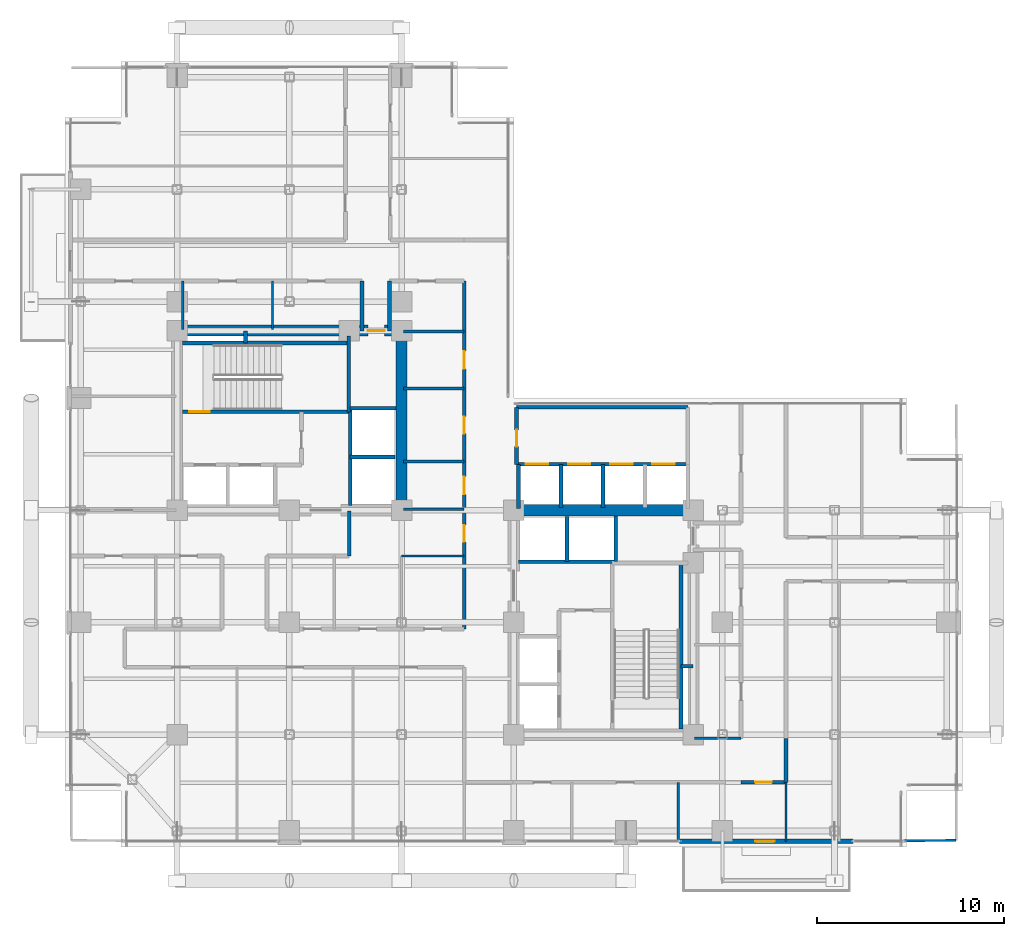
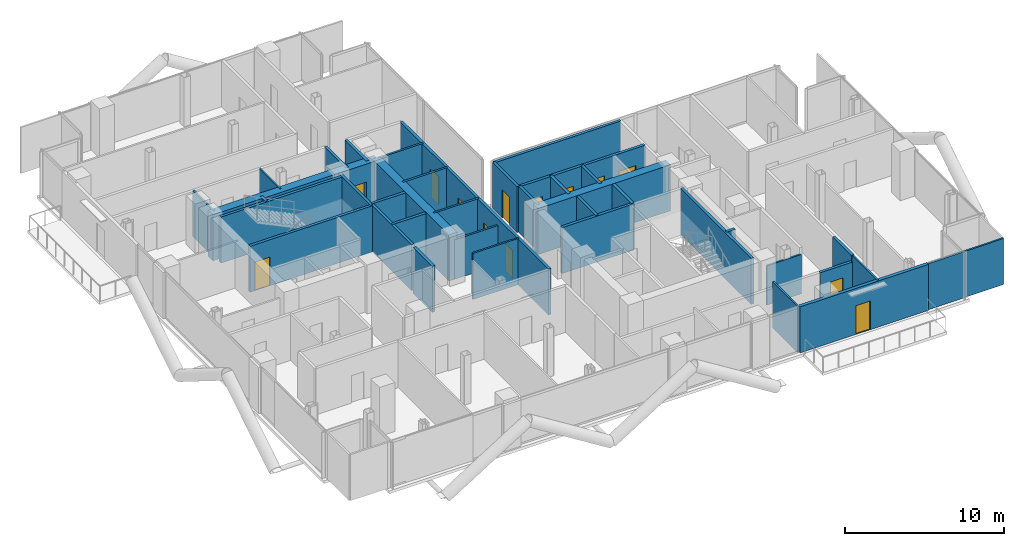
# One storey, part 23 of 28: 39 walls, 13 doors, 13 openings.
"""IFC4 building model written with IfcOpenShell, lengths in metres."""

from ifc_helpers import new_model, si_unit, direction, frame, frame_2d, origin, place, context, subcontext, project, spatial, rectangle, extrude, material, layer, layer_set, type_object, element, fill, save


model = new_model("IFC4")

# Units and contexts
model_context = context("Model", 3, precision=1e-05, world=origin(), true_north=direction((0.0, 1.0)))
body_context = subcontext(model_context, "Body", "Model", "MODEL_VIEW")
ifc_project = project(units=[si_unit("LENGTHUNIT", "METRE"), si_unit("AREAUNIT", "SQUARE_METRE"), si_unit("VOLUMEUNIT", "CUBIC_METRE"), si_unit("PLANEANGLEUNIT", "RADIAN"), si_unit("MASSUNIT", "GRAM", prefix="KILO"), si_unit("THERMODYNAMICTEMPERATUREUNIT", "KELVIN"), si_unit("POWERUNIT", "WATT")], contexts=[model_context])

# Site, building, storey
site_placement = place(None, origin())
site = spatial("IfcSite", under=ifc_project, at=site_placement, CompositionType="ELEMENT")
building_placement = place(site_placement, origin())
building = spatial("IfcBuilding", under=site, at=building_placement, Name="Svarakhadi Broadcast Tower", CompositionType="ELEMENT")
storey_placement = place(building_placement, frame((0.0, 0.0, 149.39990234375)))
storey = spatial("IfcBuildingStorey", under=building, at=storey_placement, Name="L36", CompositionType="ELEMENT", Elevation=149.39990234375)

# Wall, opening, door
ifc_material_1 = material(Name="Concrete C40/50 (IS 456 M50)", Category="concrete")
ifc_layer_1 = layer(ifc_material_1, 0.239990234375)
ifc_layer_set_1 = layer_set([ifc_layer_1], Name="Concrete C40/50 (IS 456 M50)")
wall_type_1 = type_object("IfcWallType", Name="Wall_Ext_240", PredefinedType="SOLIDWALL", material=ifc_layer_set_1)
wall_1_placement = place(storey_placement, frame((42.14501953125, 0.300048828125, 0.0), z_axis=(0.0, 0.0, 1.0), x_axis=(-1.0, 0.0, 0.0)))
wall_1 = element("IfcWall", 1, at=wall_1_placement, inside=storey, type_object=wall_type_1, Name="L36 South Tree Balcony Spandrel Wall", PredefinedType="SOLIDWALL", context=body_context, shape_type="SweptSolid", body=[
    extrude(rectangle(XDim=9.2900390625, YDim=0.239990234375, at=frame_2d((4.64501953125, 0.0))), origin(), (0.0, 0.0, 1.0), 3.525146484375),
])
opening_1_placement = place(wall_1_placement, frame((4.199951171875, 0.0, 0.0)))
opening_1 = element("IfcOpeningElement", 2, at=opening_1_placement, cuts=wall_1, Name="Opening ED-06", PredefinedType="OPENING", context=body_context, shape_type="SweptSolid", body=[
    extrude(rectangle(XDim=1.050048828125, YDim=2.199951171875, at=frame_2d((0.52490234375, 1.10009765625))), frame((0.0, 0.1298828125, 0.0), z_axis=(0.0, -1.0, 0.0), x_axis=(1.0, 0.0, 0.0)), (0.0, 0.0, 1.0), 0.260009765625),
])
ifc_material_2 = material(Name="Anodised Bronze Aluminium AA 6063-T6", Category="aluminium")
door_type_1 = type_object("IfcDoorType", Name="Door_Ext_ED06", OperationType="SINGLE_SWING_RIGHT", PredefinedType="DOOR", material=ifc_material_2)
door_1_placement = place(opening_1_placement, origin())
door_1 = element("IfcDoor", 3, at=door_1_placement, inside=storey, type_object=door_type_1, Name="L36 South Tree Balcony Door", OperationType="SINGLE_SWING_RIGHT", OverallHeight=2.199951171875, OverallWidth=1.050048828125, PredefinedType="DOOR", context=body_context, shape_type="SweptSolid", body=[
    extrude(rectangle(XDim=1.050048828125, YDim=2.199951171875, at=frame_2d((0.52490234375, 1.10009765625))), frame((0.0, 0.02490234375, 0.0), z_axis=(0.0, -1.0, 0.0), x_axis=(1.0, 0.0, 0.0)), (0.0, 0.0, 1.0), 0.050048828125),
])
fill(opening_1, door_1)

# Walls
ifc_layer_2 = layer(ifc_material_1, 0.199951171875)
ifc_layer_set_2 = layer_set([ifc_layer_2], Name="Concrete C40/50 (IS 456 M50)")
wall_type_2 = type_object("IfcWallType", Name="Wall_Fire_200", PredefinedType="SOLIDWALL", material=ifc_layer_set_2)
for number, where, z_axis, x_axis, name in (
    (4, (9.659912109375, 26.93994140625, 0.0), (0.0, 0.0, 1.0), (0.0, 1.0, 0.0), "L36 Wet Riser Shaft East Wall"),
    (5, (32.93994140625, 9.659912109375, 0.0), (0.0, 0.0, 1.0), (1.0, 0.0, 0.0), "L36 HV Busduct Riser Shaft North Wall"),
):
    element("IfcWall", number, at=place(storey_placement, frame(where, z_axis=z_axis, x_axis=x_axis)), inside=storey, type_object=wall_type_2, Name=name, PredefinedType="SOLIDWALL", context=body_context, shape_type="SweptSolid", body=[
        extrude(rectangle(XDim=0.64013671875, YDim=0.199951171875, at=frame_2d((0.320068359375, 0.0))), origin(), (0.0, 0.0, 1.0), 3.525146484375),
    ])
wall_2_placement = place(storey_placement, frame((38.550048828125, 5.800048828125, 0.0), z_axis=(0.0, 0.0, 1.0), x_axis=(0.0, -1.0, 0.0)))
element("IfcWall", 6, at=wall_2_placement, inside=storey, type_object=wall_type_2, Name="L36 Zone 2/3 Corridor Wall", PredefinedType="SOLIDWALL", context=body_context, shape_type="SweptSolid", body=[
    extrude(rectangle(XDim=2.35009765625, YDim=0.199951171875, at=frame_2d((1.175048828125, 0.0))), origin(), (0.0, 0.0, 1.0), 3.525146484375),
])

# Wall, opening, door
wall_3_placement = place(storey_placement, frame((38.550048828125, 3.449951171875, 0.0), z_axis=(0.0, 0.0, 1.0), x_axis=(-1.0, 0.0, 0.0)))
wall_3 = element("IfcWall", 7, at=wall_3_placement, inside=storey, type_object=wall_type_2, Name="L36 Zone 2/3 Corridor Wall", PredefinedType="SOLIDWALL", context=body_context, shape_type="SweptSolid", body=[
    extrude(rectangle(XDim=2.400146484375, YDim=0.199951171875, at=frame_2d((1.2001953125, 0.0))), origin(), (0.0, 0.0, 1.0), 3.067138671875),
])
opening_2_placement = place(wall_3_placement, frame((0.75, 0.0, 0.0)))
opening_2 = element("IfcOpeningElement", 8, at=opening_2_placement, cuts=wall_3, Name="Opening D-14", PredefinedType="OPENING", context=body_context, shape_type="SweptSolid", body=[
    extrude(rectangle(XDim=0.89990234375, YDim=2.10009765625, at=frame_2d((0.449951171875, 1.050048828125))), frame((0.0, 0.10986328125, 0.0), z_axis=(0.0, -1.0, 0.0), x_axis=(1.0, 0.0, 0.0)), (0.0, 0.0, 1.0), 0.219970703125),
])
ifc_material_3 = material(Name="Solid-Core Teak Veneer Acoustic Timber Leaf", Category="wood")
door_type_2 = type_object("IfcDoorType", Name="Door_Int_D14", OperationType="SINGLE_SWING_LEFT", PredefinedType="DOOR", material=ifc_material_3)
door_2_placement = place(opening_2_placement, origin())
door_2 = element("IfcDoor", 9, at=door_2_placement, inside=storey, type_object=door_type_2, Name="L36 Artisanal Espresso Bar Door", OperationType="SINGLE_SWING_LEFT", OverallHeight=2.10009765625, OverallWidth=0.89990234375, PredefinedType="DOOR", context=body_context, shape_type="SweptSolid", body=[
    extrude(rectangle(XDim=0.89990234375, YDim=2.10009765625, at=frame_2d((0.449951171875, 1.050048828125))), frame((0.0, 0.02490234375, 0.0), z_axis=(0.0, -1.0, 0.0), x_axis=(1.0, 0.0, 0.0)), (0.0, 0.0, 1.0), 0.050048828125),
])
fill(opening_2, door_2)

# Wall
wall_4_placement = place(storey_placement, frame((15.199951171875, 17.949951171875, 0.0), z_axis=(0.0, 0.0, 1.0), x_axis=(0.0, -1.0, 0.0)))
element("IfcWall", 10, at=wall_4_placement, inside=storey, type_object=wall_type_2, Name="L36 Zone 2/3 Corridor Wall", PredefinedType="SOLIDWALL", context=body_context, shape_type="SweptSolid", body=[
    extrude(rectangle(XDim=2.39990234375, YDim=0.199951171875, at=frame_2d((1.199951171875, 0.0))), origin(), (0.0, 0.0, 1.0), 3.525146484375),
])

# Wall, openings, doors
wall_5_placement = place(storey_placement, frame((21.35009765625, 11.64990234375, 0.0), z_axis=(0.0, 0.0, 1.0), x_axis=(0.0, 1.0, 0.0)))
wall_5 = element("IfcWall", 11, at=wall_5_placement, inside=storey, type_object=wall_type_2, Name="L36 Zone 2/3 Corridor Wall", PredefinedType="SOLIDWALL", context=body_context, shape_type="SweptSolid", body=[
    extrude(rectangle(XDim=18.60009765625, YDim=0.199951171875, at=frame_2d((9.300048828125, 0.0))), origin(), (0.0, 0.0, 1.0), 3.525146484375),
])
opening_3_placement = place(wall_5_placement, frame((7.199951171875, 0.0, 0.0)))
opening_3 = element("IfcOpeningElement", 12, at=opening_3_placement, cuts=wall_5, Name="Opening D-07", PredefinedType="OPENING", context=body_context, shape_type="SweptSolid", body=[
    extrude(rectangle(XDim=0.949951171875, YDim=2.14990234375, at=frame_2d((0.47509765625, 1.074951171875))), frame((0.0, 0.10986328125, 0.0), z_axis=(0.0, -1.0, 0.0), x_axis=(1.0, 0.0, 0.0)), (0.0, 0.0, 1.0), 0.219970703125),
])
opening_4_placement = place(wall_5_placement, frame((10.449951171875, 0.0, 0.0)))
opening_4 = element("IfcOpeningElement", 13, at=opening_4_placement, cuts=wall_5, Name="Opening D-12", PredefinedType="OPENING", context=body_context, shape_type="SweptSolid", body=[
    extrude(rectangle(XDim=0.89990234375, YDim=2.10009765625, at=frame_2d((0.449951171875, 1.050048828125))), frame((0.0, 0.10986328125, 0.0), z_axis=(0.0, -1.0, 0.0), x_axis=(1.0, 0.0, 0.0)), (0.0, 0.0, 1.0), 0.219970703125),
])
opening_5_placement = place(wall_5_placement, frame((13.89990234375, 0.0, 0.0)))
opening_5 = element("IfcOpeningElement", 14, at=opening_5_placement, cuts=wall_5, Name="Opening D-07", PredefinedType="OPENING", context=body_context, shape_type="SweptSolid", body=[
    extrude(rectangle(XDim=0.949951171875, YDim=2.14990234375, at=frame_2d((0.47509765625, 1.074951171875))), frame((0.0, 0.10986328125, 0.0), z_axis=(0.0, -1.0, 0.0), x_axis=(1.0, 0.0, 0.0)), (0.0, 0.0, 1.0), 0.219970703125),
])
opening_6_placement = place(wall_5_placement, frame((4.64990234375, 0.0, 0.0)))
opening_6 = element("IfcOpeningElement", 15, at=opening_6_placement, cuts=wall_5, Name="Opening D-14", PredefinedType="OPENING", context=body_context, shape_type="SweptSolid", body=[
    extrude(rectangle(XDim=0.89990234375, YDim=2.10009765625, at=frame_2d((0.449951171875, 1.050048828125))), frame((0.0, 0.10986328125, 0.0), z_axis=(0.0, -1.0, 0.0), x_axis=(1.0, 0.0, 0.0)), (0.0, 0.0, 1.0), 0.219970703125),
])
door_3_placement = place(opening_6_placement, origin())
door_3 = element("IfcDoor", 16, at=door_3_placement, inside=storey, type_object=door_type_2, Name="L36 Executive Review Pod Door", OperationType="SINGLE_SWING_LEFT", OverallHeight=2.10009765625, OverallWidth=0.89990234375, PredefinedType="DOOR", context=body_context, shape_type="SweptSolid", body=[
    extrude(rectangle(XDim=0.89990234375, YDim=2.10009765625, at=frame_2d((0.449951171875, 1.050048828125))), frame((0.0, 0.02490234375, 0.0), z_axis=(0.0, -1.0, 0.0), x_axis=(1.0, 0.0, 0.0)), (0.0, 0.0, 1.0), 0.050048828125),
])
fill(opening_6, door_3)
door_type_3 = type_object("IfcDoorType", Name="Door_Office_D07", OperationType="SINGLE_SWING_RIGHT", PredefinedType="DOOR", material=ifc_material_3)
door_4_placement = place(opening_3_placement, origin())
door_4 = element("IfcDoor", 17, at=door_4_placement, inside=storey, type_object=door_type_3, Name="L36 Broadcast Editorial Review Office Door", OperationType="SINGLE_SWING_RIGHT", OverallHeight=2.14990234375, OverallWidth=0.949951171875, PredefinedType="DOOR", context=body_context, shape_type="SweptSolid", body=[
    extrude(rectangle(XDim=0.949951171875, YDim=2.14990234375, at=frame_2d((0.47509765625, 1.074951171875))), frame((0.0, 0.02490234375, 0.0), z_axis=(0.0, -1.0, 0.0), x_axis=(1.0, 0.0, 0.0)), (0.0, 0.0, 1.0), 0.050048828125),
])
fill(opening_3, door_4)
door_5_placement = place(opening_5_placement, origin())
door_5 = element("IfcDoor", 18, at=door_5_placement, inside=storey, type_object=door_type_3, Name="L36 Quiet Focus Booth Door", OperationType="SINGLE_SWING_RIGHT", OverallHeight=2.14990234375, OverallWidth=0.949951171875, PredefinedType="DOOR", context=body_context, shape_type="SweptSolid", body=[
    extrude(rectangle(XDim=0.949951171875, YDim=2.14990234375, at=frame_2d((0.47509765625, 1.074951171875))), frame((0.0, 0.02490234375, 0.0), z_axis=(0.0, -1.0, 0.0), x_axis=(1.0, 0.0, 0.0)), (0.0, 0.0, 1.0), 0.050048828125),
])
fill(opening_5, door_5)
door_type_4 = type_object("IfcDoorType", Name="Door_WC_D01", OperationType="SINGLE_SWING_LEFT", PredefinedType="DOOR", material=ifc_material_3)
door_6_placement = place(opening_4_placement, origin())
door_6 = element("IfcDoor", 19, at=door_6_placement, inside=storey, type_object=door_type_4, Name="L36 Accessible Guest Washroom WC Door", OperationType="SINGLE_SWING_LEFT", OverallHeight=2.10009765625, OverallWidth=0.89990234375, PredefinedType="DOOR", context=body_context, shape_type="SweptSolid", body=[
    extrude(rectangle(XDim=0.89990234375, YDim=2.10009765625, at=frame_2d((0.449951171875, 1.050048828125))), frame((0.0, 0.02490234375, 0.0), z_axis=(0.0, -1.0, 0.0), x_axis=(1.0, 0.0, 0.0)), (0.0, 0.0, 1.0), 0.050048828125),
])
fill(opening_4, door_6)

# Walls
for number, where, z_axis, x_axis, name in (
    (20, (17.35009765625, 30.25, 0.0), (0.0, 0.0, 1.0), (0.0, -1.0, 0.0), "L36 Zone 2/3 Corridor Wall"),
    (21, (15.8798828125, 27.580078125, 0.0), (0.0, 0.0, 1.0), (0.0, 1.0, 0.0), "L36 Zone 2/3 Corridor Wall"),
):
    element("IfcWall", number, at=place(storey_placement, frame(where, z_axis=z_axis, x_axis=x_axis)), inside=storey, type_object=wall_type_2, Name=name, PredefinedType="SOLIDWALL", context=body_context, shape_type="SweptSolid", body=[
        extrude(rectangle(XDim=2.669921875, YDim=0.199951171875, at=frame_2d((1.3349609375, 0.0))), origin(), (0.0, 0.0, 1.0), 3.525146484375),
    ])
ifc_material_4 = material(Name="Fire-Rated Moisture-Resistant Gypsum Board Partition", Category="gypsum")
ifc_layer_3 = layer(ifc_material_4, 0.125)
ifc_layer_set_3 = layer_set([ifc_layer_3], Name="Fire-Rated Moisture-Resistant Gypsum Board Partition")
wall_type_3 = type_object("IfcWallType", Name="Wall_Part_125", PredefinedType="PARTITIONING", material=ifc_layer_set_3)
wall_6_placement = place(storey_placement, frame((18.0, 15.550048828125, 0.0), z_axis=(0.0, 0.0, 1.0), x_axis=(1.0, 0.0, 0.0)))
element("IfcWall", 22, at=wall_6_placement, inside=storey, type_object=wall_type_3, Name="L36 Accessible Floor Washroom WC Wall", PredefinedType="PARTITIONING", context=body_context, shape_type="SweptSolid", body=[
    extrude(rectangle(XDim=3.35009765625, YDim=0.125, at=frame_2d((1.675048828125, 0.0))), origin(), (0.0, 0.0, 1.0), 3.525146484375),
])
for number, where, z_axis, x_axis, name in (
    (23, (32.800048828125, 0.300048828125, 0.0), (0.0, 0.0, 1.0), (0.0, 1.0, 0.0), "L36 Client Preview Briefing Room Wall"),
    (24, (38.550048828125, 0.300048828125, 0.0), (0.0, 0.0, 1.0), (0.0, 1.0, 0.0), "L36 Artisanal Espresso Bar Wall"),
):
    element("IfcWall", number, at=place(storey_placement, frame(where, z_axis=z_axis, x_axis=x_axis)), inside=storey, type_object=wall_type_3, Name=name, PredefinedType="PARTITIONING", context=body_context, shape_type="SweptSolid", body=[
        extrude(rectangle(XDim=3.14990234375, YDim=0.125, at=frame_2d((1.574951171875, 0.0))), origin(), (0.0, 0.0, 1.0), 3.525146484375),
    ])
for number, where, z_axis, x_axis, name in (
    (25, (6.300048828125, 27.64990234375, 0.0), (0.0, 0.0, 1.0), (0.0, 1.0, 0.0), "L36 Acoustic Dubbing Booth Wall"),
    (26, (11.10009765625, 27.64990234375, 0.0), (0.0, 0.0, 1.0), (0.0, 1.0, 0.0), "L36 Acoustic Dubbing Booth Wall"),
):
    element("IfcWall", number, at=place(storey_placement, frame(where, z_axis=z_axis, x_axis=x_axis)), inside=storey, type_object=wall_type_3, Name=name, PredefinedType="PARTITIONING", context=body_context, shape_type="SweptSolid", body=[
        extrude(rectangle(XDim=2.60009765625, YDim=0.125, at=frame_2d((1.300048828125, 0.0))), origin(), (0.0, 0.0, 1.0), 3.525146484375),
    ])
wall_7_placement = place(storey_placement, frame((33.64990234375, 5.800048828125, 0.0), z_axis=(0.0, 0.0, 1.0), x_axis=(1.0, 0.0, 0.0)))
element("IfcWall", 27, at=wall_7_placement, inside=storey, type_object=wall_type_3, Name="L36 Media Playout Monitoring Office Wall", PredefinedType="PARTITIONING", context=body_context, shape_type="SweptSolid", body=[
    extrude(rectangle(XDim=2.5, YDim=0.125, at=frame_2d((1.25, 0.0))), origin(), (0.0, 0.0, 1.0), 3.01708984375),
])
wall_8_placement = place(storey_placement, frame((42.14501953125, 0.305908203125, 0.0), z_axis=(0.0, 0.0, 1.0), x_axis=(0.999967782628, 0.008027060877, 0.0)))
element("IfcWall", 28, at=wall_8_placement, inside=storey, type_object=wall_type_3, Name="L36 Conductor Study Wall", PredefinedType="PARTITIONING", context=body_context, shape_type="SweptSolid", body=[
    extrude(rectangle(XDim=5.505126953125, YDim=0.125, at=frame_2d((2.75244140625, 0.0))), origin(), (0.0, 0.0, 1.0), 3.525146484375),
])
ifc_material_5 = material(Name="Autoclaved Aerated Concrete Blockwork 150 mm", Category="masonry")
ifc_layer_4 = layer(ifc_material_5, 0.14990234375)
ifc_layer_set_4 = layer_set([ifc_layer_4], Name="Autoclaved Aerated Concrete Blockwork 150 mm")
wall_type_4 = type_object("IfcWallType", Name="Wall_Part_150", PredefinedType="PARTITIONING", material=ifc_layer_set_4)
wall_9_placement = place(storey_placement, frame((18.10009765625, 18.050048828125, 0.0), z_axis=(0.0, 0.0, 1.0), x_axis=(1.0, 0.0, 0.0)))
element("IfcWall", 29, at=wall_9_placement, inside=storey, type_object=wall_type_4, Name="L36 Broadcast Editorial Review Office Wall", PredefinedType="PARTITIONING", context=body_context, shape_type="SweptSolid", body=[
    extrude(rectangle(XDim=3.25, YDim=0.14990234375, at=frame_2d((1.625, 0.0))), origin(), (0.0, 0.0, 1.0), 3.01708984375),
])
for number, where, z_axis, x_axis, name in (
    (30, (18.10009765625, 20.60009765625, 0.0), (0.0, 0.0, 1.0), (1.0, 0.0, 0.0), "L36 Broadcast Editorial Review Office Wall"),
    (31, (18.10009765625, 24.5, 0.0), (0.0, 0.0, 1.0), (1.0, 0.0, 0.0), "L36 Accessible Guest Washroom WC Wall"),
    (32, (18.10009765625, 27.550048828125, 0.0), (0.0, 0.0, 1.0), (1.0, 0.0, 0.0), "L36 Quiet Focus Booth Wall"),
):
    element("IfcWall", number, at=place(storey_placement, frame(where, z_axis=z_axis, x_axis=x_axis)), inside=storey, type_object=wall_type_4, Name=name, PredefinedType="PARTITIONING", context=body_context, shape_type="SweptSolid", body=[
        extrude(rectangle(XDim=3.25, YDim=0.14990234375, at=frame_2d((1.625, 0.0))), origin(), (0.0, 0.0, 1.0), 3.525146484375),
    ])

# Wall, opening, door
ifc_material_6 = material(Name="Concrete C50/60 (IS 456 M60)", Category="concrete")
ifc_layer_5 = layer(ifc_material_6, 0.199951171875)
ifc_layer_set_5 = layer_set([ifc_layer_5], Name="Concrete C50/60 (IS 456 M60)")
wall_type_5 = type_object("IfcWallType", Name="Wall_Shear_200", PredefinedType="SHEAR", material=ifc_layer_set_5)
wall_10_placement = place(storey_placement, frame((6.300048828125, 23.260009765625, 0.0), z_axis=(0.0, 0.0, 1.0), x_axis=(1.0, 0.0, 0.0)))
wall_10 = element("IfcWall", 33, at=wall_10_placement, inside=storey, type_object=wall_type_5, Name="L36 Stair ST-01 South RC Shaft Wall", PredefinedType="SHEAR", context=body_context, shape_type="SweptSolid", body=[
    extrude(rectangle(XDim=8.8798828125, YDim=0.199951171875, at=frame_2d((4.43994140625, 0.0))), origin(), (0.0, 0.0, 1.0), 3.525146484375),
])
opening_7_placement = place(wall_10_placement, frame((0.35009765625, 0.0, 0.0)))
opening_7 = element("IfcOpeningElement", 34, at=opening_7_placement, cuts=wall_10, Name="Opening D-01", PredefinedType="OPENING", context=body_context, shape_type="SweptSolid", body=[
    extrude(rectangle(XDim=1.10009765625, YDim=2.199951171875, at=frame_2d((0.550048828125, 1.10009765625))), frame((0.0, 0.10986328125, 0.0), z_axis=(0.0, -1.0, 0.0), x_axis=(1.0, 0.0, 0.0)), (0.0, 0.0, 1.0), 0.219970703125),
])
ifc_material_7 = material(Name="Galvanised Powder-Coated Fire-Rated Steel Leaf", Category="steel")
door_type_5 = type_object("IfcDoorType", Name="Door_Stair_D01", OperationType="SINGLE_SWING_LEFT", PredefinedType="DOOR", material=ifc_material_7)
door_7_placement = place(opening_7_placement, origin())
door_7 = element("IfcDoor", 35, at=door_7_placement, inside=storey, type_object=door_type_5, Name="L36 Protected Exit Stair ST-01 Fire Door", OperationType="SINGLE_SWING_LEFT", OverallHeight=2.199951171875, OverallWidth=1.10009765625, PredefinedType="DOOR", context=body_context, shape_type="SweptSolid", body=[
    extrude(rectangle(XDim=1.10009765625, YDim=2.199951171875, at=frame_2d((0.550048828125, 1.10009765625))), frame((0.0, 0.02490234375, 0.0), z_axis=(0.0, -1.0, 0.0), x_axis=(1.0, 0.0, 0.0)), (0.0, 0.0, 1.0), 0.050048828125),
])
fill(opening_7, door_7)

# Walls
wall_11_placement = place(storey_placement, frame((6.300048828125, 26.93994140625, 0.0), z_axis=(0.0, 0.0, 1.0), x_axis=(1.0, 0.0, 0.0)))
element("IfcWall", 36, at=wall_11_placement, inside=storey, type_object=wall_type_5, Name="L36 Stair ST-01 North RC Shaft Wall", PredefinedType="SHEAR", context=body_context, shape_type="SweptSolid", body=[
    extrude(rectangle(XDim=8.8798828125, YDim=0.199951171875, at=frame_2d((4.43994140625, 0.0))), origin(), (0.0, 0.0, 1.0), 3.525146484375),
])
wall_12_placement = place(storey_placement, frame((15.179931640625, 23.260009765625, 0.0), z_axis=(0.0, 0.0, 1.0), x_axis=(0.0, 1.0, 0.0)))
element("IfcWall", 37, at=wall_12_placement, inside=storey, type_object=wall_type_5, Name="L36 Stair ST-01 East RC Shaft Wall", PredefinedType="SHEAR", context=body_context, shape_type="SweptSolid", body=[
    extrude(rectangle(XDim=4.0400390625, YDim=0.199951171875, at=frame_2d((2.02001953125, 0.0))), origin(), (0.0, 0.0, 1.0), 3.525146484375),
])
wall_13_placement = place(storey_placement, frame((32.93994140625, 6.300048828125, 0.0), z_axis=(0.0, 0.0, 1.0), x_axis=(0.0, 1.0, 0.0)))
element("IfcWall", 38, at=wall_13_placement, inside=storey, type_object=wall_type_5, Name="L36 Stair ST-02 East RC Shaft Wall", PredefinedType="SHEAR", context=body_context, shape_type="SweptSolid", body=[
    extrude(rectangle(XDim=8.8798828125, YDim=0.199951171875, at=frame_2d((4.43994140625, 0.0))), origin(), (0.0, 0.0, 1.0), 3.525146484375),
])
wall_14_placement = place(storey_placement, frame((15.25, 18.25, 0.0), z_axis=(0.0, 0.0, 1.0), x_axis=(0.0, 1.0, 0.0)))
element("IfcWall", 39, at=wall_14_placement, inside=storey, type_object=wall_type_5, Name="L36 High-Rise Lift LF-13/14 West Shaft Wall", PredefinedType="SHEAR", context=body_context, shape_type="SweptSolid", body=[
    extrude(rectangle(XDim=5.199951171875, YDim=0.199951171875, at=frame_2d((2.60009765625, 0.0))), origin(), (0.0, 0.0, 1.0), 3.525146484375),
])
wall_15_placement = place(storey_placement, frame((15.25, 20.85009765625, 0.0), z_axis=(0.0, 0.0, 1.0), x_axis=(1.0, 0.0, 0.0)))
element("IfcWall", 40, at=wall_15_placement, inside=storey, type_object=wall_type_5, Name="L36 High-Rise Lift LF-13/14 Divider", PredefinedType="SHEAR", context=body_context, shape_type="SweptSolid", body=[
    extrude(rectangle(XDim=2.39990234375, YDim=0.199951171875, at=frame_2d((1.199951171875, 0.0))), origin(), (0.0, 0.0, 1.0), 3.525146484375),
])
wall_16_placement = place(storey_placement, frame((15.25, 23.449951171875, 0.0), z_axis=(0.0, 0.0, 1.0), x_axis=(1.0, 0.0, 0.0)))
element("IfcWall", 41, at=wall_16_placement, inside=storey, type_object=wall_type_5, Name="L36 High-Rise Lift LF-13/14 North Wall", PredefinedType="SHEAR", context=body_context, shape_type="SweptSolid", body=[
    extrude(rectangle(XDim=2.449951171875, YDim=0.199951171875, at=frame_2d((1.22509765625, 0.0))), origin(), (0.0, 0.0, 1.0), 3.525146484375),
])
wall_17_placement = place(storey_placement, frame((24.25, 15.25, 0.0), z_axis=(0.0, 0.0, 1.0), x_axis=(1.0, 0.0, 0.0)))
element("IfcWall", 42, at=wall_17_placement, inside=storey, type_object=wall_type_5, Name="L36 High-Rise Lift LF-15/16 South Shaft Wall", PredefinedType="SHEAR", context=body_context, shape_type="SweptSolid", body=[
    extrude(rectangle(XDim=5.199951171875, YDim=0.199951171875, at=frame_2d((2.60009765625, 0.0))), origin(), (0.0, 0.0, 1.0), 3.525146484375),
])
wall_18_placement = place(storey_placement, frame((26.85009765625, 15.25, 0.0), z_axis=(0.0, 0.0, 1.0), x_axis=(0.0, 1.0, 0.0)))
element("IfcWall", 43, at=wall_18_placement, inside=storey, type_object=wall_type_5, Name="L36 High-Rise Lift LF-15/16 Divider", PredefinedType="SHEAR", context=body_context, shape_type="SweptSolid", body=[
    extrude(rectangle(XDim=2.39990234375, YDim=0.199951171875, at=frame_2d((1.199951171875, 0.0))), origin(), (0.0, 0.0, 1.0), 3.525146484375),
])
wall_19_placement = place(storey_placement, frame((29.449951171875, 15.25, 0.0), z_axis=(0.0, 0.0, 1.0), x_axis=(0.0, 1.0, 0.0)))
element("IfcWall", 44, at=wall_19_placement, inside=storey, type_object=wall_type_5, Name="L36 High-Rise Lift LF-15/16 East Wall", PredefinedType="SHEAR", context=body_context, shape_type="SweptSolid", body=[
    extrude(rectangle(XDim=2.449951171875, YDim=0.199951171875, at=frame_2d((1.22509765625, 0.0))), origin(), (0.0, 0.0, 1.0), 3.525146484375),
])
wall_20_placement = place(storey_placement, frame((24.25, 18.10009765625, 0.0), z_axis=(0.0, 0.0, 1.0), x_axis=(0.0, 1.0, 0.0)))
element("IfcWall", 45, at=wall_20_placement, inside=storey, type_object=wall_type_5, Name="L36 Bank B West Shaft Wall", PredefinedType="SHEAR", context=body_context, shape_type="SweptSolid", body=[
    extrude(rectangle(XDim=2.349853515625, YDim=0.199951171875, at=frame_2d((1.1748046875, 0.0))), origin(), (0.0, 0.0, 1.0), 3.525146484375),
])

# Wall, openings, doors
wall_21_placement = place(storey_placement, frame((24.25, 20.449951171875, 0.0), z_axis=(0.0, 0.0, 1.0), x_axis=(1.0, 0.0, 0.0)))
wall_21 = element("IfcWall", 46, at=wall_21_placement, inside=storey, type_object=wall_type_5, Name="L36 Bank B North Landing Wall", PredefinedType="SHEAR", context=body_context, shape_type="SweptSolid", body=[
    extrude(rectangle(XDim=9.050048828125, YDim=0.199951171875, at=frame_2d((4.52490234375, 0.0))), origin(), (0.0, 0.0, 1.0), 3.525146484375),
])
opening_8_placement = place(wall_21_placement, frame((0.39990234375, 0.0, 0.0)))
opening_8 = element("IfcOpeningElement", 47, at=opening_8_placement, cuts=wall_21, Name="Opening LD-02", PredefinedType="OPENING", context=body_context, shape_type="SweptSolid", body=[
    extrude(rectangle(XDim=1.199951171875, YDim=2.199951171875, at=frame_2d((0.60009765625, 1.10009765625))), frame((0.0, 0.10986328125, 0.0), z_axis=(0.0, -1.0, 0.0), x_axis=(1.0, 0.0, 0.0)), (0.0, 0.0, 1.0), 0.219970703125),
])
opening_9_placement = place(wall_21_placement, frame((2.64990234375, 0.0, 0.0)))
opening_9 = element("IfcOpeningElement", 48, at=opening_9_placement, cuts=wall_21, Name="Opening LD-02", PredefinedType="OPENING", context=body_context, shape_type="SweptSolid", body=[
    extrude(rectangle(XDim=1.199951171875, YDim=2.199951171875, at=frame_2d((0.60009765625, 1.10009765625))), frame((0.0, 0.10986328125, 0.0), z_axis=(0.0, -1.0, 0.0), x_axis=(1.0, 0.0, 0.0)), (0.0, 0.0, 1.0), 0.219970703125),
])
opening_10_placement = place(wall_21_placement, frame((4.89990234375, 0.0, 0.0)))
opening_10 = element("IfcOpeningElement", 49, at=opening_10_placement, cuts=wall_21, Name="Opening LD-02", PredefinedType="OPENING", context=body_context, shape_type="SweptSolid", body=[
    extrude(rectangle(XDim=1.199951171875, YDim=2.199951171875, at=frame_2d((0.60009765625, 1.10009765625))), frame((0.0, 0.10986328125, 0.0), z_axis=(0.0, -1.0, 0.0), x_axis=(1.0, 0.0, 0.0)), (0.0, 0.0, 1.0), 0.219970703125),
])
opening_11_placement = place(wall_21_placement, frame((7.14990234375, 0.0, 0.0)))
opening_11 = element("IfcOpeningElement", 50, at=opening_11_placement, cuts=wall_21, Name="Opening LD-02", PredefinedType="OPENING", context=body_context, shape_type="SweptSolid", body=[
    extrude(rectangle(XDim=1.199951171875, YDim=2.199951171875, at=frame_2d((0.60009765625, 1.10009765625))), frame((0.0, 0.10986328125, 0.0), z_axis=(0.0, -1.0, 0.0), x_axis=(1.0, 0.0, 0.0)), (0.0, 0.0, 1.0), 0.219970703125),
])
door_type_6 = type_object("IfcDoorType", Name="Door_Lift_LD02", OperationType="SLIDING_TO_RIGHT", PredefinedType="DOOR", material=ifc_material_7)
door_8_placement = place(opening_8_placement, origin())
door_8 = element("IfcDoor", 51, at=door_8_placement, inside=storey, type_object=door_type_6, Name="L36 Mid-Rise Lift LF-09 Landing Door", OperationType="SLIDING_TO_RIGHT", OverallHeight=2.199951171875, OverallWidth=1.199951171875, PredefinedType="DOOR", context=body_context, shape_type="SweptSolid", body=[
    extrude(rectangle(XDim=1.199951171875, YDim=2.199951171875, at=frame_2d((0.60009765625, 1.10009765625))), frame((0.0, 0.02490234375, 0.0), z_axis=(0.0, -1.0, 0.0), x_axis=(1.0, 0.0, 0.0)), (0.0, 0.0, 1.0), 0.050048828125),
])
fill(opening_8, door_8)
door_9_placement = place(opening_9_placement, origin())
door_9 = element("IfcDoor", 52, at=door_9_placement, inside=storey, type_object=door_type_6, Name="L36 Mid-Rise Lift LF-10 Landing Door", OperationType="SLIDING_TO_RIGHT", OverallHeight=2.199951171875, OverallWidth=1.199951171875, PredefinedType="DOOR", context=body_context, shape_type="SweptSolid", body=[
    extrude(rectangle(XDim=1.199951171875, YDim=2.199951171875, at=frame_2d((0.60009765625, 1.10009765625))), frame((0.0, 0.02490234375, 0.0), z_axis=(0.0, -1.0, 0.0), x_axis=(1.0, 0.0, 0.0)), (0.0, 0.0, 1.0), 0.050048828125),
])
fill(opening_9, door_9)
door_10_placement = place(opening_10_placement, origin())
door_10 = element("IfcDoor", 53, at=door_10_placement, inside=storey, type_object=door_type_6, Name="L36 Mid-Rise Lift LF-11 Landing Door", OperationType="SLIDING_TO_RIGHT", OverallHeight=2.199951171875, OverallWidth=1.199951171875, PredefinedType="DOOR", context=body_context, shape_type="SweptSolid", body=[
    extrude(rectangle(XDim=1.199951171875, YDim=2.199951171875, at=frame_2d((0.60009765625, 1.10009765625))), frame((0.0, 0.02490234375, 0.0), z_axis=(0.0, -1.0, 0.0), x_axis=(1.0, 0.0, 0.0)), (0.0, 0.0, 1.0), 0.050048828125),
])
fill(opening_10, door_10)
door_11_placement = place(opening_11_placement, origin())
door_11 = element("IfcDoor", 54, at=door_11_placement, inside=storey, type_object=door_type_6, Name="L36 Mid-Rise Lift LF-12 Landing Door", OperationType="SLIDING_TO_RIGHT", OverallHeight=2.199951171875, OverallWidth=1.199951171875, PredefinedType="DOOR", context=body_context, shape_type="SweptSolid", body=[
    extrude(rectangle(XDim=1.199951171875, YDim=2.199951171875, at=frame_2d((0.60009765625, 1.10009765625))), frame((0.0, 0.02490234375, 0.0), z_axis=(0.0, -1.0, 0.0), x_axis=(1.0, 0.0, 0.0)), (0.0, 0.0, 1.0), 0.050048828125),
])
fill(opening_11, door_11)

# Walls
for number, where, z_axis, x_axis, name in (
    (55, (26.52001953125, 18.14990234375, 0.0), (0.0, 0.0, 1.0), (0.0, 1.0, 0.0), "L36 Bank B Divider"),
    (56, (28.77001953125, 18.14990234375, 0.0), (0.0, 0.0, 1.0), (0.0, 1.0, 0.0), "L36 Bank B Divider"),
):
    element("IfcWall", number, at=place(storey_placement, frame(where, z_axis=z_axis, x_axis=x_axis)), inside=storey, type_object=wall_type_5, Name=name, PredefinedType="SHEAR", context=body_context, shape_type="SweptSolid", body=[
        extrude(rectangle(XDim=2.300048828125, YDim=0.199951171875, at=frame_2d((1.14990234375, 0.0))), origin(), (0.0, 0.0, 1.0), 3.525146484375),
    ])
wall_22_placement = place(storey_placement, frame((24.14990234375, 23.5, 0.0), z_axis=(0.0, 0.0, 1.0), x_axis=(1.0, 0.0, 0.0)))
element("IfcWall", 57, at=wall_22_placement, inside=storey, type_object=wall_type_5, Name="L36 Bank B Lift Hall North Wall", PredefinedType="SHEAR", context=body_context, shape_type="SweptSolid", body=[
    extrude(rectangle(XDim=9.150146484375, YDim=0.199951171875, at=frame_2d((4.5751953125, 0.0))), origin(), (0.0, 0.0, 1.0), 3.525146484375),
])

# Wall, opening, door
wall_23_placement = place(storey_placement, frame((24.14990234375, 20.449951171875, 0.0), z_axis=(0.0, 0.0, 1.0), x_axis=(0.0, 1.0, 0.0)))
wall_23 = element("IfcWall", 58, at=wall_23_placement, inside=storey, type_object=wall_type_5, Name="L36 Bank B Lift Hall West Wall", PredefinedType="SHEAR", context=body_context, shape_type="SweptSolid", body=[
    extrude(rectangle(XDim=3.050048828125, YDim=0.199951171875, at=frame_2d((1.52490234375, 0.0))), origin(), (0.0, 0.0, 1.0), 3.525146484375),
])
opening_12_placement = place(wall_23_placement, frame((0.949951171875, 0.0, 0.0)))
opening_12 = element("IfcOpeningElement", 59, at=opening_12_placement, cuts=wall_23, Name="Opening D-03", PredefinedType="OPENING", context=body_context, shape_type="SweptSolid", body=[
    extrude(rectangle(XDim=0.89990234375, YDim=2.14990234375, at=frame_2d((0.449951171875, 1.074951171875))), frame((0.0, 0.10986328125, 0.0), z_axis=(0.0, -1.0, 0.0), x_axis=(1.0, 0.0, 0.0)), (0.0, 0.0, 1.0), 0.219970703125),
])
door_type_7 = type_object("IfcDoorType", Name="Door_Fire_D03", OperationType="SINGLE_SWING_LEFT", PredefinedType="DOOR", material=ifc_material_7)
door_12_placement = place(opening_12_placement, origin())
door_12 = element("IfcDoor", 60, at=door_12_placement, inside=storey, type_object=door_type_7, Name="L36 Mid-Rise Lift Hall West Corridor Door", OperationType="SINGLE_SWING_LEFT", OverallHeight=2.14990234375, OverallWidth=0.89990234375, PredefinedType="DOOR", context=body_context, shape_type="SweptSolid", body=[
    extrude(rectangle(XDim=0.89990234375, YDim=2.14990234375, at=frame_2d((0.449951171875, 1.074951171875))), frame((0.0, 0.02490234375, 0.0), z_axis=(0.0, -1.0, 0.0), x_axis=(1.0, 0.0, 0.0)), (0.0, 0.0, 1.0), 0.050048828125),
])
fill(opening_12, door_12)

ifc_material_8 = material(Name="Concrete C60/75 (IS 456 M70)", Category="concrete")
ifc_layer_6 = layer(ifc_material_8, 0.60009765625)
ifc_layer_set_6 = layer_set([ifc_layer_6], Name="Concrete C60/75 (IS 456 M70)")
wall_type_6 = type_object("IfcWallType", Name="Wall_Shear_600", PredefinedType="SHEAR", material=ifc_layer_set_6)
wall_24_placement = place(storey_placement, frame((6.0, 27.60009765625, 0.0), z_axis=(0.0, 0.0, 1.0), x_axis=(1.0, 0.0, 0.0)))
wall_24 = element("IfcWall", 61, at=wall_24_placement, inside=storey, type_object=wall_type_6, Name="L36 West Core North Shear Wall", PredefinedType="SHEAR", context=body_context, shape_type="SweptSolid", body=[
    extrude(rectangle(XDim=12.0, YDim=0.60009765625, at=frame_2d((6.0, 0.0))), origin(), (0.0, 0.0, 1.0), 3.525146484375),
])
opening_13_placement = place(wall_24_placement, frame((10.199951171875, 0.0, 0.0)))
opening_13 = element("IfcOpeningElement", 62, at=opening_13_placement, cuts=wall_24, Name="Opening D-04", PredefinedType="OPENING", context=body_context, shape_type="SweptSolid", body=[
    extrude(rectangle(XDim=0.89990234375, YDim=2.14990234375, at=frame_2d((0.449951171875, 1.074951171875))), frame((0.0, 0.31005859375, 0.0), z_axis=(0.0, -1.0, 0.0), x_axis=(1.0, 0.0, 0.0)), (0.0, 0.0, 1.0), 0.6201171875),
])
door_type_8 = type_object("IfcDoorType", Name="Door_Fire_D04", OperationType="SINGLE_SWING_RIGHT", PredefinedType="DOOR", material=ifc_material_7)
door_13_placement = place(opening_13_placement, origin())
door_13 = element("IfcDoor", 63, at=door_13_placement, inside=storey, type_object=door_type_8, Name="L36 Core Service Room West Door", OperationType="SINGLE_SWING_RIGHT", OverallHeight=2.14990234375, OverallWidth=0.89990234375, PredefinedType="DOOR", context=body_context, shape_type="SweptSolid", body=[
    extrude(rectangle(XDim=0.89990234375, YDim=2.14990234375, at=frame_2d((0.449951171875, 1.074951171875))), frame((0.0, 0.02490234375, 0.0), z_axis=(0.0, -1.0, 0.0), x_axis=(1.0, 0.0, 0.0)), (0.0, 0.0, 1.0), 0.050048828125),
])
fill(opening_13, door_13)

# Walls
for number, where, z_axis, x_axis, name in (
    (64, (18.0, 18.0, 0.0), (0.0, 0.0, 1.0), (0.0, 1.0, 0.0), "L36 West Core East Shear Wall"),
    (65, (24.0, 18.0, 0.0), (0.0, 0.0, 1.0), (1.0, 0.0, 0.0), "L36 East Core North Shear Wall"),
):
    element("IfcWall", number, at=place(storey_placement, frame(where, z_axis=z_axis, x_axis=x_axis)), inside=storey, type_object=wall_type_6, Name=name, PredefinedType="SHEAR", context=body_context, shape_type="SweptSolid", body=[
        extrude(rectangle(XDim=9.60009765625, YDim=0.60009765625, at=frame_2d((4.800048828125, 0.0))), origin(), (0.0, 0.0, 1.0), 3.525146484375),
    ])

save(model, "model.ifc")
